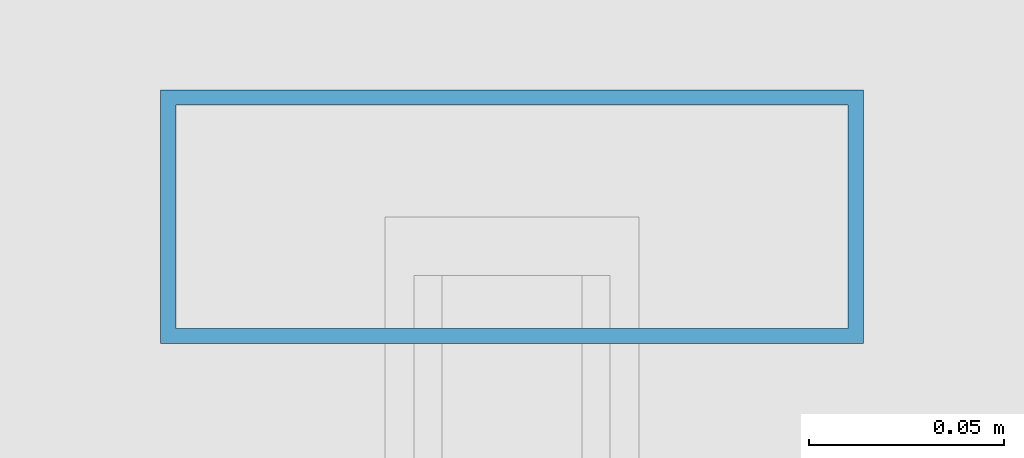
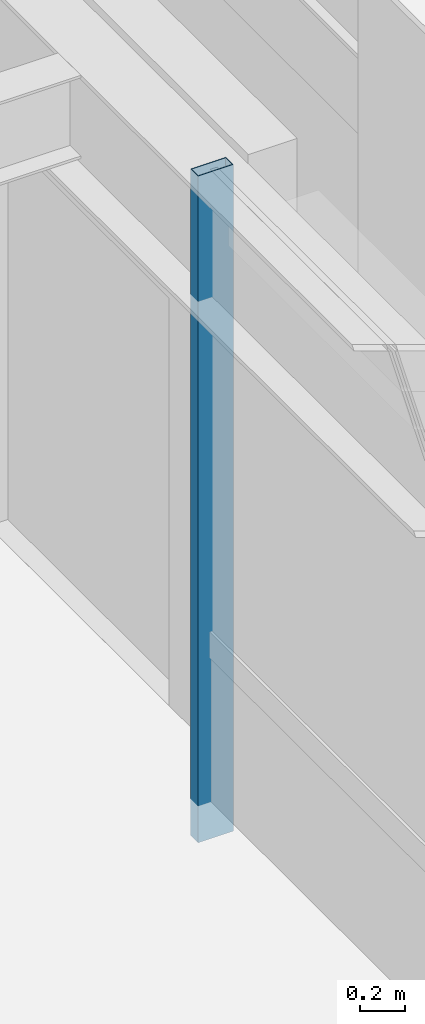
# One storey, part 16 of 34: 1 member, 1 element without a shape of its own.
"""IFC4 building model written with IfcOpenShell, lengths in metres."""

import ifcopenshell
import ifcopenshell.guid

model = None  # the IFC model being written
_history = None  # IfcOwnerHistory: only IFC2X3 demands one
_inside = {}  # id of a spatial element -> (the spatial element, [elements in it])
_under = {}  # id of a project, library or spatial element -> (it, [spatial elements below it])
_declared = {}  # id of a project -> (the project, [libraries it declares])
_typed = {}  # id of a type object -> (the type object, [elements of that type])
_made_of = {}  # id of a material, layer set ... -> (it, [elements and type objects made of it])


def new_model(schema):
    """Start an empty IFC model of exactly this schema.

    Asked for "IFC4X3", IfcOpenShell would pick the latest addendum, in which some entities
    have other attributes; the version numbers below select the first issue.
    IFC2X3 requires an IfcOwnerHistory on every rooted entity: one is made here for all.
    """
    global model, _history
    if schema == "IFC4X3":
        model = ifcopenshell.file(schema_version=(4, 3, 0, 0))
    else:
        model = ifcopenshell.file(schema=schema)
    _inside.clear()
    _under.clear()
    _declared.clear()
    _typed.clear()
    _made_of.clear()
    _history = None
    if model.schema == "IFC2X3":
        org = make("IfcOrganization", Name="unknown")
        user = make(
            "IfcPersonAndOrganization",
            ThePerson=make("IfcPerson", FamilyName="unknown"),
            TheOrganization=org,
        )
        app = make(
            "IfcApplication",
            ApplicationDeveloper=org,
            Version="unknown",
            ApplicationFullName="unknown",
            ApplicationIdentifier="unknown",
        )
        _history = make(
            "IfcOwnerHistory",
            OwningUser=user,
            OwningApplication=app,
            ChangeAction="ADDED",
            CreationDate=0,
        )
    return model


def make(cls, **values):
    """One entity of the class cls with the attributes given. An attribute that is None is left unset."""
    return model.create_entity(
        cls, **{name: value for name, value in values.items() if value is not None}
    )


def rooted(cls, **values):
    """An entity with a GlobalId (a new one), such as an element, a storey or a relation."""
    return make(cls, GlobalId=ifcopenshell.guid.new(), OwnerHistory=_history, **values)


def si_unit(unit_type, name, prefix=None):
    """IfcSIUnit, for example si_unit("LENGTHUNIT", "METRE", prefix="MILLI")."""
    return make("IfcSIUnit", UnitType=unit_type, Prefix=prefix, Name=name)


def assignment(units):
    """IfcUnitAssignment: the units of a project."""
    return None if units is None else make("IfcUnitAssignment", Units=units)


def point(xyz):
    """IfcCartesianPoint."""
    return None if xyz is None else make("IfcCartesianPoint", Coordinates=xyz)


def direction(xyz):
    """IfcDirection."""
    return None if xyz is None else make("IfcDirection", DirectionRatios=xyz)


def frame(location, z_axis=None, x_axis=None):
    """IfcAxis2Placement3D, a coordinate frame: its origin and axes. An axis left out is left unset."""
    return make(
        "IfcAxis2Placement3D",
        Location=point(location),
        Axis=direction(z_axis),
        RefDirection=direction(x_axis),
    )


def frame_2d(location, x_axis=None):
    """IfcAxis2Placement2D, a coordinate frame in the plane: its origin and x axis."""
    return make(
        "IfcAxis2Placement2D", Location=point(location), RefDirection=direction(x_axis)
    )


def origin():
    """The frame at (0, 0, 0) with its axes left unset."""
    return frame((0.0, 0.0, 0.0))


def origin_2d():
    """The frame at (0, 0) in the plane with its x axis left unset."""
    return frame_2d((0.0, 0.0))


def place(relative_to, where):
    """IfcLocalPlacement: puts the frame where relative to a parent placement (None: the world)."""
    return make(
        "IfcLocalPlacement", PlacementRelTo=relative_to, RelativePlacement=where
    )


def context(
    kind, dimensions, precision=None, world=None, true_north=None, identifier=None
):
    """IfcGeometricRepresentationContext, for example the 3D "Model" context."""
    return make(
        "IfcGeometricRepresentationContext",
        ContextIdentifier=identifier,
        ContextType=kind,
        CoordinateSpaceDimension=dimensions,
        Precision=precision,
        WorldCoordinateSystem=world,
        TrueNorth=true_north,
    )


def subcontext(parent, identifier, kind, view, scale=None):
    """IfcGeometricRepresentationSubContext, for example "Body" below "Model"."""
    return make(
        "IfcGeometricRepresentationSubContext",
        ContextIdentifier=identifier,
        ContextType=kind,
        ParentContext=parent,
        TargetScale=scale,
        TargetView=view,
    )


def project(units=None, contexts=None):
    """IfcProject with its units and contexts."""
    return rooted(
        "IfcProject",
        Name="project",
        RepresentationContexts=contexts,
        UnitsInContext=assignment(units),
    )


def spatial(cls, under=None, at=None, **own):
    """A site, building, storey or space (cls), placed at a placement, below another one or the project."""
    s = rooted(cls, ObjectPlacement=at, **own)
    if under is not None:
        _under.setdefault(under.id(), (under, []))[1].append(s)
    return s


def profile(cls, at=None, kind="AREA", **sizes):
    """A parametric profile (cls). Its sizes go by their IFC names, for example OverallWidth=200.0."""
    return make(cls, ProfileType=kind, Position=at, **sizes)


def hollow_rectangle(**sizes):
    """IfcRectangleHollowProfileDef."""
    return profile("IfcRectangleHollowProfileDef", **sizes)


def extrude(swept, where, along, depth):
    """IfcExtrudedAreaSolid: the profile swept, set in the frame where, extruded along a direction by depth."""
    return make(
        "IfcExtrudedAreaSolid",
        SweptArea=swept,
        Position=where,
        ExtrudedDirection=direction(along),
        Depth=depth,
    )


def shape(context_of_items, identifier, shape_type, items):
    """IfcShapeRepresentation: the items that make up one representation, for example the "Body"."""
    return make(
        "IfcShapeRepresentation",
        ContextOfItems=context_of_items,
        RepresentationIdentifier=identifier,
        RepresentationType=shape_type,
        Items=items,
    )


def material(Name=None, Category=None):
    """IfcMaterial."""
    return make("IfcMaterial", Name=Name, Category=Category)


def layer(
    of_material, thickness, ventilated=None, Name=None, Category=None, Priority=None
):
    """IfcMaterialLayer: one layer of a wall or slab, of a material (None: an air gap)."""
    return make(
        "IfcMaterialLayer",
        Material=of_material,
        LayerThickness=thickness,
        IsVentilated=ventilated,
        Name=Name,
        Category=Category,
        Priority=Priority,
    )


def layer_set(layers, Name=None):
    """IfcMaterialLayerSet."""
    return make("IfcMaterialLayerSet", MaterialLayers=layers, LayerSetName=Name)


def material_profile(
    of_material, cross_section, Name=None, Category=None, Priority=None
):
    """IfcMaterialProfile: a cross section and its material."""
    return make(
        "IfcMaterialProfile",
        Name=Name,
        Material=of_material,
        Profile=cross_section,
        Priority=Priority,
        Category=Category,
    )


def profile_set(profiles, Name=None, composite=None):
    """IfcMaterialProfileSet."""
    return make(
        "IfcMaterialProfileSet",
        Name=Name,
        MaterialProfiles=profiles,
        CompositeProfile=composite,
    )


def made_of(thing, what):
    """Note that an element or type object is made of a material, layer set ...; save() writes the relation."""
    if what is not None:
        _made_of.setdefault(what.id(), (what, []))[1].append(thing)
    return thing


def type_object(cls, material=None, **own):
    """A type object (cls), such as IfcWallType, which elements share."""
    return made_of(rooted(cls, **own), material)


def element(
    cls,
    number,
    at=None,
    inside=None,
    cuts=None,
    type_object=None,
    material=None,
    context=None,
    identifier="Body",
    shape_type=None,
    held_by="IfcProductDefinitionShape",
    body=None,
    shapes=None,
    **own,
):
    """One element of the class cls, such as IfcWall. Its Tag is "e" and its number.

    at: its placement. inside: the storey or other place that contains it. cuts: it is an
    opening in that element (IfcRelVoidsElement). A single representation is given by context,
    identifier, shape_type and body (its items); several are given by shapes. held_by: the class
    of the entity that holds the representations. save() writes the other relations.
    """
    e = rooted(cls, Tag="e%d" % number, ObjectPlacement=at, **own)
    if body is not None:
        shapes = [shape(context, identifier, shape_type, body)]
    if shapes is not None:
        e.Representation = make(held_by, Representations=shapes)
    if inside is not None:
        _inside.setdefault(inside.id(), (inside, []))[1].append(e)
    if cuts is not None:
        rooted(
            "IfcRelVoidsElement", RelatingBuildingElement=cuts, RelatedOpeningElement=e
        )
    if type_object is not None:
        _typed.setdefault(type_object.id(), (type_object, []))[1].append(e)
    return made_of(e, material)


def aggregate(whole, parts):
    """IfcRelAggregates: a whole, such as a stair, and the parts it consists of."""
    return rooted("IfcRelAggregates", RelatingObject=whole, RelatedObjects=parts)


def save(model, path):
    """Write the relations noted so far, then the file.

    IfcRelAggregates (storeys below a building ...), IfcRelContainedInSpatialStructure (elements
    in a storey), IfcRelDefinesByType, IfcRelAssociatesMaterial and IfcRelDeclares: one each for
    every whole, place, type object, material and project.
    """
    for whole, parts in _under.values():
        aggregate(whole, parts)
    for where, things in _inside.values():
        rooted(
            "IfcRelContainedInSpatialStructure",
            RelatedElements=things,
            RelatingStructure=where,
        )
    for kind, things in _typed.values():
        rooted("IfcRelDefinesByType", RelatedObjects=things, RelatingType=kind)
    for what, things in _made_of.values():
        rooted("IfcRelAssociatesMaterial", RelatedObjects=things, RelatingMaterial=what)
    for by, libraries in _declared.values():
        rooted("IfcRelDeclares", RelatingContext=by, RelatedDefinitions=libraries)
    model.write(path)


model = new_model("IFC4")

# Units and contexts
model_context = context("Model", 3, precision=1e-05, world=origin(), true_north=direction((0.0, 1.0)))
body_context = subcontext(model_context, "Body", "Model", "MODEL_VIEW")
ifc_project = project(units=[si_unit("LENGTHUNIT", "METRE"), si_unit("AREAUNIT", "SQUARE_METRE"), si_unit("VOLUMEUNIT", "CUBIC_METRE"), si_unit("PLANEANGLEUNIT", "RADIAN"), si_unit("MASSUNIT", "GRAM", prefix="KILO")], contexts=[model_context])

# Site, building, storey
site_placement = place(None, origin())
site = spatial("IfcSite", under=ifc_project, at=site_placement, CompositionType="ELEMENT")
building_placement = place(site_placement, origin())
building = spatial("IfcBuilding", under=site, at=building_placement, Name="Brelmoor Portico Tower", CompositionType="ELEMENT")
storey_placement = place(building_placement, frame((0.0, 0.0, 45.60009765625)))
storey = spatial("IfcBuildingStorey", under=building, at=storey_placement, Name="L11", CompositionType="ELEMENT", Elevation=45.60009765625)

# Curtain wall, member
ifc_material = material(Name="Anodised Aluminium Alloy 6063-T6", Category="aluminium")
ifc_layer = layer(ifc_material, 0.179931640625)
ifc_layer_set = layer_set([ifc_layer], Name="Anodised Aluminium Alloy 6063-T6")
curtain_wall_type = type_object("IfcCurtainWallType", Name="CW-TOWER-Z1", PredefinedType="NOTDEFINED", material=ifc_layer_set)
curtain_wall_placement = place(storey_placement, origin())
curtain_wall = element("IfcCurtainWall", 1, at=curtain_wall_placement, inside=storey, type_object=curtain_wall_type, Name="L11 Curtain Wall CW-L11-4L-2", PredefinedType="NOTDEFINED")
ifc_material_profile = material_profile(ifc_material, hollow_rectangle(XDim=0.06494140625, YDim=0.179931640625, WallThickness=0.00390625, at=origin_2d()), Name="ALU MULLION 65x180")
ifc_profile_set = profile_set([ifc_material_profile], Name="Anodised Aluminium Alloy 6063-T6")
member_type = type_object("IfcMemberType", Name="MB-CW-MULL-180", PredefinedType="MULLION", material=ifc_profile_set)
member_placement = place(storey_placement, frame((24.550048828125, 5.5, -0.2001953125), z_axis=(0.0, 0.0, 1.0), x_axis=(0.0, 1.0, 0.0)))
member = element("IfcMember", 2, at=member_placement, type_object=member_type, Name="CW-L11-4L-2 Mullion 01", PredefinedType="MULLION", context=body_context, shape_type="SweptSolid", body=[
    extrude(hollow_rectangle(XDim=0.06494140625, YDim=0.179931640625, WallThickness=0.00390625, at=origin_2d()), origin(), (0.0, 0.0, 1.0), 3.60009765625),
])
aggregate(curtain_wall, [member])

save(model, "model.ifc")
